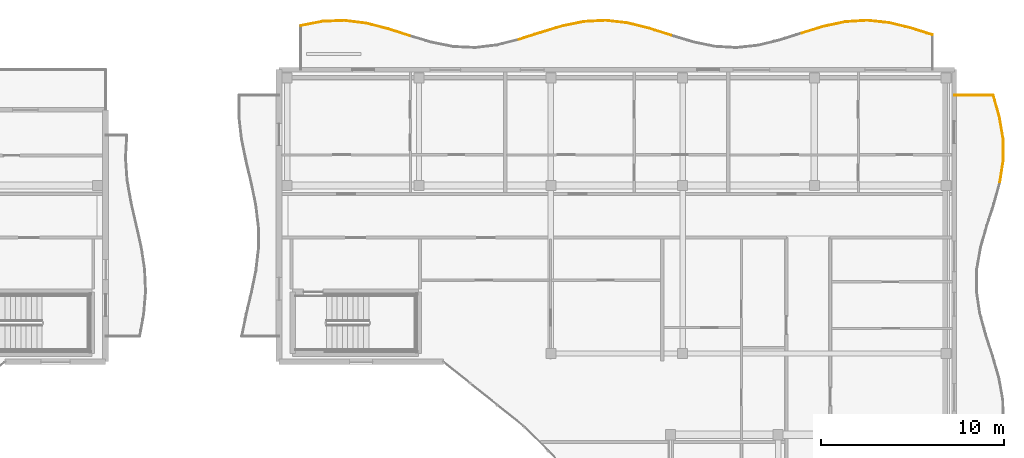
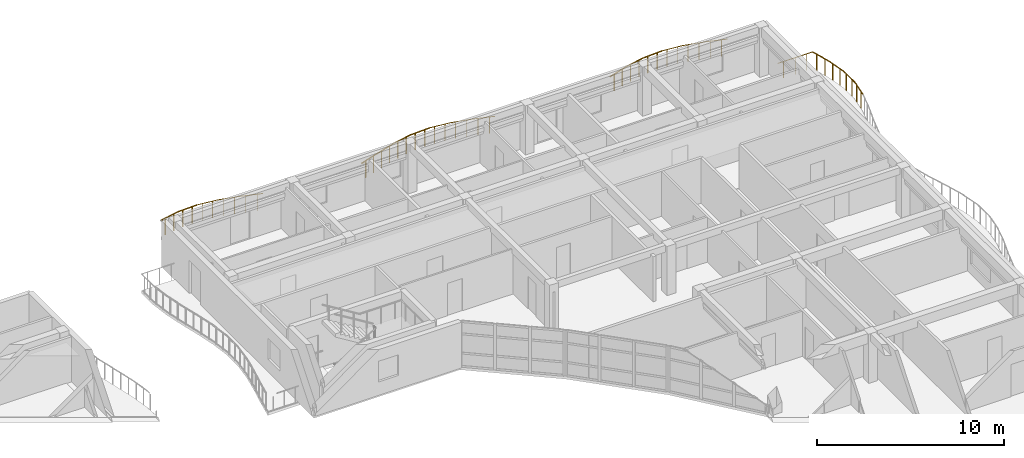
# One storey, part 54 of 54: 23 railings.
"""IFC4 building model written with IfcOpenShell, lengths in metres."""

from ifc_helpers import new_model, si_unit, direction, frame, origin, origin_2d, place, context, subcontext, project, spatial, circle, extrude, material, type_object, element, save


model = new_model("IFC4")

# Units and contexts
model_context = context("Model", 3, precision=1e-05, world=origin(), true_north=direction((0.0, 1.0)))
body_context = subcontext(model_context, "Body", "Model", "MODEL_VIEW")
ifc_project = project(units=[si_unit("LENGTHUNIT", "METRE"), si_unit("AREAUNIT", "SQUARE_METRE"), si_unit("VOLUMEUNIT", "CUBIC_METRE"), si_unit("PLANEANGLEUNIT", "RADIAN"), si_unit("MASSUNIT", "GRAM", prefix="KILO")], contexts=[model_context])

# Site, building, storey
site_placement = place(None, origin())
site = spatial("IfcSite", under=ifc_project, at=site_placement, CompositionType="ELEMENT")
building_placement = place(site_placement, origin())
building = spatial("IfcBuilding", under=site, at=building_placement, Name="Keldmere Railside Commons", CompositionType="ELEMENT")
storey_placement = place(building_placement, frame((0.0, 0.0, 26.56005859375)))
storey = spatial("IfcBuildingStorey", under=building, at=storey_placement, Name="L08", CompositionType="ELEMENT", Elevation=26.56005859375)

# Railings
ifc_material = material(Name="Steel F-24 (S235)", Category="steel")
railing_type = type_object("IfcRailingType", Name="Balcony & Terrace Steel Balustrade 1100", PredefinedType="BALUSTRADE", material=ifc_material)
railing_1_placement = place(storey_placement, frame((148.199951171875, 118.413818359375, 0.0)))
element("IfcRailing", 1, at=railing_1_placement, inside=storey, type_object=railing_type, Name="GR-1 GRD-L08-4088", PredefinedType="BALUSTRADE", context=body_context, shape_type="SweptSolid", body=[
    extrude(circle(Radius=0.02392578125, at=origin_2d()), frame((0.0, 0.0, 1.076171875), z_axis=(0.981662404269, 0.19062771059, 0.0), x_axis=(-0.19062771059, 0.981662404269, 0.0)), (0.0, 0.0, 1.0), 1.21533203125),
    extrude(circle(Radius=0.02099609375, at=origin_2d()), frame((0.29833984375, 0.057861328125, 0.0)), (0.0, 0.0, 1.0), 1.048095703125),
    extrude(circle(Radius=0.02099609375, at=origin_2d()), frame((0.894775390625, 0.173828125, 0.0)), (0.0, 0.0, 1.0), 1.048095703125),
])
railing_2_placement = place(storey_placement, frame((149.39306640625, 118.6455078125, 0.0)))
element("IfcRailing", 2, at=railing_2_placement, inside=storey, type_object=railing_type, Name="GR-1 GRD-L08-4089", PredefinedType="BALUSTRADE", context=body_context, shape_type="SweptSolid", body=[
    extrude(circle(Radius=0.02392578125, at=origin_2d()), frame((0.0, 0.0, 1.076171875), z_axis=(0.999204873313, 0.039870053263, 0.0), x_axis=(-0.039870053263, 0.999204873313, 0.0)), (0.0, 0.0, 1.0), 1.194091796875),
    extrude(circle(Radius=0.02099609375, at=origin_2d()), frame((0.29833984375, 0.011962890625, 0.0)), (0.0, 0.0, 1.0), 1.048095703125),
    extrude(circle(Radius=0.02099609375, at=origin_2d()), frame((0.894775390625, 0.03564453125, 0.0)), (0.0, 0.0, 1.0), 1.048095703125),
])
railing_3_placement = place(storey_placement, frame((150.586181640625, 118.693115234375, 0.0)))
element("IfcRailing", 3, at=railing_3_placement, inside=storey, type_object=railing_type, Name="GR-1 GRD-L08-4090", PredefinedType="BALUSTRADE", context=body_context, shape_type="SweptSolid", body=[
    extrude(circle(Radius=0.02392578125, at=origin_2d()), frame((0.0, 0.0, 1.076171875), z_axis=(0.992224684713, -0.124459531764, 0.0), x_axis=(0.124459531764, 0.992224684713, 0.0)), (0.0, 0.0, 1.0), 1.202392578125),
    extrude(circle(Radius=0.02099609375, at=origin_2d()), frame((0.29833984375, -0.037353515625, 0.0)), (0.0, 0.0, 1.0), 1.048095703125),
    extrude(circle(Radius=0.02099609375, at=origin_2d()), frame((0.894775390625, -0.1123046875, 0.0)), (0.0, 0.0, 1.0), 1.048095703125),
])
railing_4_placement = place(storey_placement, frame((151.779296875, 118.54345703125, 0.0)))
element("IfcRailing", 4, at=railing_4_placement, inside=storey, type_object=railing_type, Name="GR-1 GRD-L08-4091", PredefinedType="BALUSTRADE", context=body_context, shape_type="SweptSolid", body=[
    extrude(circle(Radius=0.02392578125, at=origin_2d()), frame((0.0, 0.0, 1.076171875), z_axis=(0.968524336877, -0.248918880114, 0.0), x_axis=(0.248918880114, 0.968524336877, 0.0)), (0.0, 0.0, 1.0), 1.23193359375),
    extrude(circle(Radius=0.02099609375, at=origin_2d()), frame((0.29833984375, -0.07666015625, 0.0)), (0.0, 0.0, 1.0), 1.048095703125),
    extrude(circle(Radius=0.02099609375, at=origin_2d()), frame((0.894775390625, -0.22998046875, 0.0)), (0.0, 0.0, 1.0), 1.048095703125),
])
railing_5_placement = place(storey_placement, frame((152.972412109375, 118.23681640625, 0.0)))
element("IfcRailing", 5, at=railing_5_placement, inside=storey, type_object=railing_type, Name="GR-1 GRD-L08-4092", PredefinedType="BALUSTRADE", context=body_context, shape_type="SweptSolid", body=[
    extrude(circle(Radius=0.02392578125, at=origin_2d()), frame((0.0, 0.0, 1.076171875), z_axis=(0.952188583551, -0.305510885821, 0.0), x_axis=(0.305510885821, 0.952188583551, 0.0)), (0.0, 0.0, 1.0), 1.2529296875),
    extrude(circle(Radius=0.02099609375, at=origin_2d()), frame((0.29833984375, -0.095703125, 0.0)), (0.0, 0.0, 1.0), 1.048095703125),
    extrude(circle(Radius=0.02099609375, at=origin_2d()), frame((0.894775390625, -0.287109375, 0.0)), (0.0, 0.0, 1.0), 1.048095703125),
])
railing_6_placement = place(storey_placement, frame((160.131103515625, 117.650634765625, 0.0)))
element("IfcRailing", 6, at=railing_6_placement, inside=storey, type_object=railing_type, Name="GR-1 GRD-L08-4098", PredefinedType="BALUSTRADE", context=body_context, shape_type="SweptSolid", body=[
    extrude(circle(Radius=0.02392578125, at=origin_2d()), frame((0.0, 0.0, 1.076171875), z_axis=(0.952415095402, 0.304804012525, 0.0), x_axis=(-0.304804012525, 0.952415095402, 0.0)), (0.0, 0.0, 1.0), 1.252685546875),
    extrude(circle(Radius=0.02099609375, at=origin_2d()), frame((0.29833984375, 0.095458984375, 0.0)), (0.0, 0.0, 1.0), 1.048095703125),
    extrude(circle(Radius=0.02099609375, at=origin_2d()), frame((0.894775390625, 0.286376953125, 0.0)), (0.0, 0.0, 1.0), 1.048095703125),
])
railing_7_placement = place(storey_placement, frame((161.32421875, 118.032470703125, 0.0)))
element("IfcRailing", 7, at=railing_7_placement, inside=storey, type_object=railing_type, Name="GR-1 GRD-L08-4099", PredefinedType="BALUSTRADE", context=body_context, shape_type="SweptSolid", body=[
    extrude(circle(Radius=0.02392578125, at=origin_2d()), frame((0.0, 0.0, 1.076171875), z_axis=(0.957382928445, 0.288821620247, 0.0), x_axis=(-0.288821620247, 0.957382928445, 0.0)), (0.0, 0.0, 1.0), 1.245849609375),
    extrude(circle(Radius=0.02099609375, at=origin_2d()), frame((0.29833984375, 0.08984375, 0.0)), (0.0, 0.0, 1.0), 1.048095703125),
    extrude(circle(Radius=0.02099609375, at=origin_2d()), frame((0.89453125, 0.27001953125, 0.0)), (0.0, 0.0, 1.0), 1.048095703125),
])
railing_8_placement = place(storey_placement, frame((162.51708984375, 118.392333984375, 0.0)))
element("IfcRailing", 8, at=railing_8_placement, inside=storey, type_object=railing_type, Name="GR-1 GRD-L08-4100", PredefinedType="BALUSTRADE", context=body_context, shape_type="SweptSolid", body=[
    extrude(circle(Radius=0.02392578125, at=origin_2d()), frame((0.0, 0.0, 1.076171875), z_axis=(0.97993533468, 0.199315678877, 0.0), x_axis=(-0.199315678877, 0.97993533468, 0.0)), (0.0, 0.0, 1.0), 1.217529296875),
    extrude(circle(Radius=0.02099609375, at=origin_2d()), frame((0.29833984375, 0.060546875, 0.0)), (0.0, 0.0, 1.0), 1.048095703125),
    extrude(circle(Radius=0.02099609375, at=origin_2d()), frame((0.894775390625, 0.18212890625, 0.0)), (0.0, 0.0, 1.0), 1.048095703125),
])
railing_9_placement = place(storey_placement, frame((163.710205078125, 118.635009765625, 0.0)))
element("IfcRailing", 9, at=railing_9_placement, inside=storey, type_object=railing_type, Name="GR-1 GRD-L08-4101", PredefinedType="BALUSTRADE", context=body_context, shape_type="SweptSolid", body=[
    extrude(circle(Radius=0.02392578125, at=origin_2d()), frame((0.0, 0.0, 1.076171875), z_axis=(0.998683640298, 0.051293143793, 0.0), x_axis=(-0.051293143793, 0.998683640298, 0.0)), (0.0, 0.0, 1.0), 1.194580078125),
    extrude(circle(Radius=0.02099609375, at=origin_2d()), frame((0.29833984375, 0.015380859375, 0.0)), (0.0, 0.0, 1.0), 1.048095703125),
    extrude(circle(Radius=0.02099609375, at=origin_2d()), frame((0.894775390625, 0.0458984375, 0.0)), (0.0, 0.0, 1.0), 1.048095703125),
])
railing_10_placement = place(storey_placement, frame((164.9033203125, 118.6962890625, 0.0)))
element("IfcRailing", 10, at=railing_10_placement, inside=storey, type_object=railing_type, Name="GR-1 GRD-L08-4102", PredefinedType="BALUSTRADE", context=body_context, shape_type="SweptSolid", body=[
    extrude(circle(Radius=0.02392578125, at=origin_2d()), frame((0.0, 0.0, 1.076171875), z_axis=(0.993524153016, -0.113621113244, 0.0), x_axis=(0.113621113244, 0.993524153016, 0.0)), (0.0, 0.0, 1.0), 1.201171875),
    extrude(circle(Radius=0.02099609375, at=origin_2d()), frame((0.29833984375, -0.0341796875, 0.0)), (0.0, 0.0, 1.0), 1.048095703125),
    extrude(circle(Radius=0.02099609375, at=origin_2d()), frame((0.89501953125, -0.102294921875, 0.0)), (0.0, 0.0, 1.0), 1.048095703125),
])
railing_11_placement = place(storey_placement, frame((166.0966796875, 118.559814453125, 0.0)))
element("IfcRailing", 11, at=railing_11_placement, inside=storey, type_object=railing_type, Name="GR-1 GRD-L08-4103", PredefinedType="BALUSTRADE", context=body_context, shape_type="SweptSolid", body=[
    extrude(circle(Radius=0.02392578125, at=origin_2d()), frame((0.0, 0.0, 1.076171875), z_axis=(0.970177523337, -0.242395489256, 0.0), x_axis=(0.242395489256, 0.970177523337, 0.0)), (0.0, 0.0, 1.0), 1.229736328125),
    extrude(circle(Radius=0.02099609375, at=origin_2d()), frame((0.29833984375, -0.074462890625, 0.0)), (0.0, 0.0, 1.0), 1.048095703125),
    extrude(circle(Radius=0.02099609375, at=origin_2d()), frame((0.894775390625, -0.2236328125, 0.0)), (0.0, 0.0, 1.0), 1.048095703125),
])
railing_12_placement = place(storey_placement, frame((167.289794921875, 118.26171875, 0.0)))
element("IfcRailing", 12, at=railing_12_placement, inside=storey, type_object=railing_type, Name="GR-1 GRD-L08-4104", PredefinedType="BALUSTRADE", context=body_context, shape_type="SweptSolid", body=[
    extrude(circle(Radius=0.02392578125, at=origin_2d()), frame((0.0, 0.0, 1.076171875), z_axis=(0.952697648032, -0.303919712151, 0.0), x_axis=(0.303919712151, 0.952697648032, 0.0)), (0.0, 0.0, 1.0), 1.25244140625),
    extrude(circle(Radius=0.02099609375, at=origin_2d()), frame((0.29833984375, -0.09521484375, 0.0)), (0.0, 0.0, 1.0), 1.048095703125),
    extrude(circle(Radius=0.02099609375, at=origin_2d()), frame((0.894775390625, -0.285400390625, 0.0)), (0.0, 0.0, 1.0), 1.048095703125),
])
railing_13_placement = place(storey_placement, frame((175.641357421875, 118.005615234375, 0.0)))
element("IfcRailing", 13, at=railing_13_placement, inside=storey, type_object=railing_type, Name="GR-1 GRD-L08-4111", PredefinedType="BALUSTRADE", context=body_context, shape_type="SweptSolid", body=[
    extrude(circle(Radius=0.02392578125, at=origin_2d()), frame((0.0, 0.0, 1.076171875), z_axis=(0.956365242469, 0.292173789033, 0.0), x_axis=(-0.292173789033, 0.956365242469, 0.0)), (0.0, 0.0, 1.0), 1.24755859375),
    extrude(circle(Radius=0.02099609375, at=origin_2d()), frame((0.29833984375, 0.091064453125, 0.0)), (0.0, 0.0, 1.0), 1.048095703125),
    extrude(circle(Radius=0.02099609375, at=origin_2d()), frame((0.894775390625, 0.2734375, 0.0)), (0.0, 0.0, 1.0), 1.048095703125),
])
railing_14_placement = place(storey_placement, frame((176.83447265625, 118.3701171875, 0.0)))
element("IfcRailing", 14, at=railing_14_placement, inside=storey, type_object=railing_type, Name="GR-1 GRD-L08-4112", PredefinedType="BALUSTRADE", context=body_context, shape_type="SweptSolid", body=[
    extrude(circle(Radius=0.02392578125, at=origin_2d()), frame((0.0, 0.0, 1.076171875), z_axis=(0.978178685847, 0.207765393065, 0.0), x_axis=(-0.207765393065, 0.978178685847, 0.0)), (0.0, 0.0, 1.0), 1.2197265625),
    extrude(circle(Radius=0.02099609375, at=origin_2d()), frame((0.29833984375, 0.0634765625, 0.0)), (0.0, 0.0, 1.0), 1.048095703125),
    extrude(circle(Radius=0.02099609375, at=origin_2d()), frame((0.894775390625, 0.18994140625, 0.0)), (0.0, 0.0, 1.0), 1.048095703125),
])
railing_15_placement = place(storey_placement, frame((178.027587890625, 118.62353515625, 0.0)))
element("IfcRailing", 15, at=railing_15_placement, inside=storey, type_object=railing_type, Name="GR-1 GRD-L08-4113", PredefinedType="BALUSTRADE", context=body_context, shape_type="SweptSolid", body=[
    extrude(circle(Radius=0.02392578125, at=origin_2d()), frame((0.0, 0.0, 1.076171875), z_axis=(0.99803266192, 0.062696138164, 0.0), x_axis=(-0.062696138164, 0.99803266192, 0.0)), (0.0, 0.0, 1.0), 1.195556640625),
    extrude(circle(Radius=0.02099609375, at=origin_2d()), frame((0.29833984375, 0.018798828125, 0.0)), (0.0, 0.0, 1.0), 1.048095703125),
    extrude(circle(Radius=0.02099609375, at=origin_2d()), frame((0.894775390625, 0.05615234375, 0.0)), (0.0, 0.0, 1.0), 1.048095703125),
])
railing_16_placement = place(storey_placement, frame((179.220703125, 118.698486328125, 0.0)))
element("IfcRailing", 16, at=railing_16_placement, inside=storey, type_object=railing_type, Name="GR-1 GRD-L08-4114", PredefinedType="BALUSTRADE", context=body_context, shape_type="SweptSolid", body=[
    extrude(circle(Radius=0.02392578125, at=origin_2d()), frame((0.0, 0.0, 1.076171875), z_axis=(0.994682451001, -0.102989425047, 0.0), x_axis=(0.102989425047, 0.994682451001, 0.0)), (0.0, 0.0, 1.0), 1.199462890625),
    extrude(circle(Radius=0.02099609375, at=origin_2d()), frame((0.29833984375, -0.03076171875, 0.0)), (0.0, 0.0, 1.0), 1.048095703125),
    extrude(circle(Radius=0.02099609375, at=origin_2d()), frame((0.894775390625, -0.0927734375, 0.0)), (0.0, 0.0, 1.0), 1.048095703125),
])
railing_17_placement = place(storey_placement, frame((180.413818359375, 118.574951171875, 0.0)))
element("IfcRailing", 17, at=railing_17_placement, inside=storey, type_object=railing_type, Name="GR-1 GRD-L08-4115", PredefinedType="BALUSTRADE", context=body_context, shape_type="SweptSolid", body=[
    extrude(circle(Radius=0.02392578125, at=origin_2d()), frame((0.0, 0.0, 1.076171875), z_axis=(0.971928706759, -0.235275559668, 0.0), x_axis=(0.235275559668, 0.971928706759, 0.0)), (0.0, 0.0, 1.0), 1.2275390625),
    extrude(circle(Radius=0.02099609375, at=origin_2d()), frame((0.29833984375, -0.072265625, 0.0)), (0.0, 0.0, 1.0), 1.048095703125),
    extrude(circle(Radius=0.02099609375, at=origin_2d()), frame((0.894775390625, -0.216552734375, 0.0)), (0.0, 0.0, 1.0), 1.048095703125),
])
railing_18_placement = place(storey_placement, frame((181.60693359375, 118.2861328125, 0.0)))
element("IfcRailing", 18, at=railing_18_placement, inside=storey, type_object=railing_type, Name="GR-1 GRD-L08-4116", PredefinedType="BALUSTRADE", context=body_context, shape_type="SweptSolid", body=[
    extrude(circle(Radius=0.02392578125, at=origin_2d()), frame((0.0, 0.0, 1.076171875), z_axis=(0.953316957699, -0.30197148568, 0.0), x_axis=(0.30197148568, 0.953316957699, 0.0)), (0.0, 0.0, 1.0), 1.25146484375),
    extrude(circle(Radius=0.02099609375, at=origin_2d()), frame((0.29833984375, -0.094482421875, 0.0)), (0.0, 0.0, 1.0), 1.048095703125),
    extrude(circle(Radius=0.02099609375, at=origin_2d()), frame((0.894775390625, -0.283447265625, 0.0)), (0.0, 0.0, 1.0), 1.048095703125),
])
railing_19_placement = place(storey_placement, frame((186.494384765625, 109.833251953125, 0.0)))
element("IfcRailing", 19, at=railing_19_placement, inside=storey, type_object=railing_type, Name="GR-1 GRD-L08-4189", PredefinedType="BALUSTRADE", context=body_context, shape_type="SweptSolid", body=[
    extrude(circle(Radius=0.02392578125, at=origin_2d()), frame((0.0, 0.0, 1.076171875), z_axis=(0.152863495463, 0.988247313052, 0.0), x_axis=(-0.988247313052, 0.152863495463, 0.0)), (0.0, 0.0, 1.0), 1.205810546875),
    extrude(circle(Radius=0.02099609375, at=origin_2d()), frame((0.046142578125, 0.2978515625, 0.0)), (0.0, 0.0, 1.0), 1.048095703125),
    extrude(circle(Radius=0.02099609375, at=origin_2d()), frame((0.13818359375, 0.893798828125, 0.0)), (0.0, 0.0, 1.0), 1.048095703125),
])
railing_20_placement = place(storey_placement, frame((186.6787109375, 111.02490234375, 0.0)))
element("IfcRailing", 20, at=railing_20_placement, inside=storey, type_object=railing_type, Name="GR-1 GRD-L08-4190", PredefinedType="BALUSTRADE", context=body_context, shape_type="SweptSolid", body=[
    extrude(circle(Radius=0.02392578125, at=origin_2d()), frame((0.0, 0.0, 1.076171875), z_axis=(-0.006964189982, 0.999975749735, 0.0), x_axis=(-0.999975749735, -0.006964189982, 0.0)), (0.0, 0.0, 1.0), 1.19189453125),
    extrude(circle(Radius=0.02099609375, at=origin_2d()), frame((-0.001953125, 0.2978515625, 0.0)), (0.0, 0.0, 1.0), 1.048095703125),
    extrude(circle(Radius=0.02099609375, at=origin_2d()), frame((-0.00634765625, 0.89404296875, 0.0)), (0.0, 0.0, 1.0), 1.048095703125),
])
railing_21_placement = place(storey_placement, frame((186.67041015625, 112.216796875, 0.0)))
element("IfcRailing", 21, at=railing_21_placement, inside=storey, type_object=railing_type, Name="GR-1 GRD-L08-4191", PredefinedType="BALUSTRADE", context=body_context, shape_type="SweptSolid", body=[
    extrude(circle(Radius=0.02392578125, at=origin_2d()), frame((0.0, 0.0, 1.076171875), z_axis=(-0.164530094236, 0.986372063722, 0.0), x_axis=(-0.986372063722, -0.164530094236, 0.0)), (0.0, 0.0, 1.0), 1.207763671875),
    extrude(circle(Radius=0.02099609375, at=origin_2d()), frame((-0.0498046875, 0.2978515625, 0.0)), (0.0, 0.0, 1.0), 1.048095703125),
    extrude(circle(Radius=0.02099609375, at=origin_2d()), frame((-0.14892578125, 0.8935546875, 0.0)), (0.0, 0.0, 1.0), 1.048095703125),
])
railing_22_placement = place(storey_placement, frame((186.4716796875, 113.408203125, 0.0)))
element("IfcRailing", 22, at=railing_22_placement, inside=storey, type_object=railing_type, Name="GR-1 GRD-L08-4192", PredefinedType="BALUSTRADE", context=body_context, shape_type="SweptSolid", body=[
    extrude(circle(Radius=0.02392578125, at=origin_2d()), frame((0.0, 0.0, 1.076171875), z_axis=(-0.271830017177, 0.962345281986, 0.0), x_axis=(-0.962345281986, -0.271830017177, 0.0)), (0.0, 0.0, 1.0), 1.238525390625),
    extrude(circle(Radius=0.02099609375, at=origin_2d()), frame((-0.084228515625, 0.2978515625, 0.0)), (0.0, 0.0, 1.0), 1.048095703125),
    extrude(circle(Radius=0.02099609375, at=origin_2d()), frame((-0.25244140625, 0.89404296875, 0.0)), (0.0, 0.0, 1.0), 1.048095703125),
])
railing_23_placement = place(storey_placement, frame((186.135009765625, 114.60009765625, 0.0)))
element("IfcRailing", 23, at=railing_23_placement, inside=storey, type_object=railing_type, Name="GR-1 GRD-L08-4193", PredefinedType="BALUSTRADE", context=body_context, shape_type="SweptSolid", body=[
    extrude(circle(Radius=0.02392578125, at=origin_2d()), frame((0.0, 0.0, 1.076171875), z_axis=(-1.0, 0.0, 0.0), x_axis=(0.0, -1.0, 0.0)), (0.0, 0.0, 1.0), 2.135009765625),
    extrude(circle(Radius=0.02099609375, at=origin_2d()), frame((-0.35595703125, 0.0, 0.0)), (0.0, 0.0, 1.0), 1.048095703125),
    extrude(circle(Radius=0.02099609375, at=origin_2d()), frame((-1.0673828125, 0.0, 0.0)), (0.0, 0.0, 1.0), 1.048095703125),
    extrude(circle(Radius=0.02099609375, at=origin_2d()), frame((-1.779296875, 0.0, 0.0)), (0.0, 0.0, 1.0), 1.048095703125),
])

save(model, "model.ifc")
